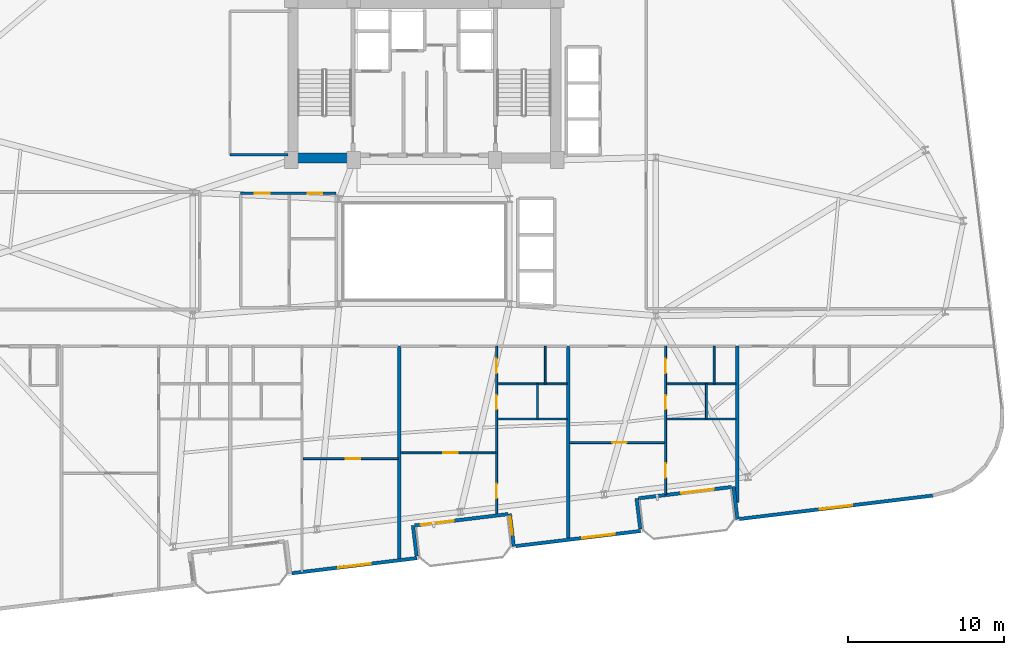
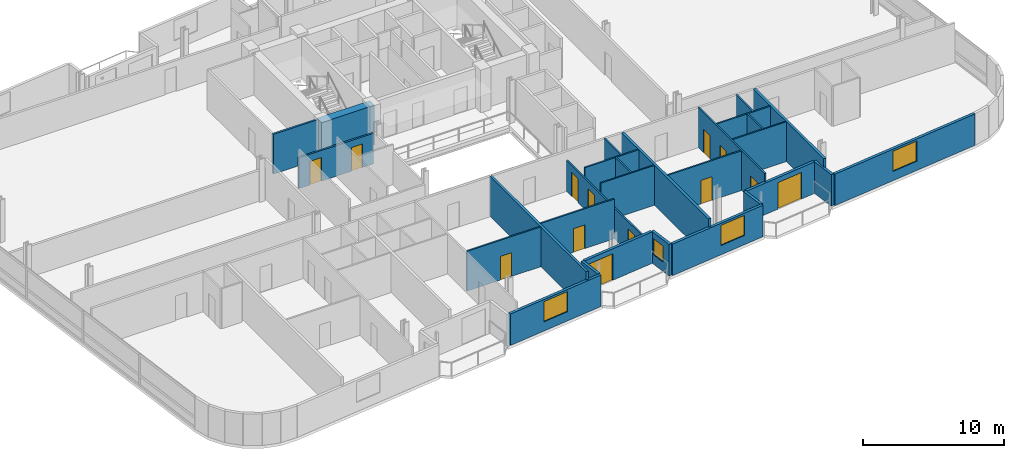
# One storey, part 15 of 23: 28 walls, 13 doors, 4 windows, 17 openings.
"""IFC4 building model written with IfcOpenShell, lengths in metres."""

from ifc_helpers import new_model, si_unit, direction, frame, frame_2d, origin, place, context, subcontext, project, spatial, rectangle, extrude, material, layer, layer_set, type_object, element, fill, save


model = new_model("IFC4")

# Units and contexts
model_context = context("Model", 3, precision=1e-05, world=origin(), true_north=direction((0.0, 1.0)))
body_context = subcontext(model_context, "Body", "Model", "MODEL_VIEW")
ifc_project = project(units=[si_unit("LENGTHUNIT", "METRE"), si_unit("AREAUNIT", "SQUARE_METRE"), si_unit("VOLUMEUNIT", "CUBIC_METRE"), si_unit("PLANEANGLEUNIT", "RADIAN"), si_unit("MASSUNIT", "GRAM", prefix="KILO")], contexts=[model_context])

# Site, building, storey
site_placement = place(None, origin())
site = spatial("IfcSite", under=ifc_project, at=site_placement, CompositionType="ELEMENT")
building_placement = place(site_placement, origin())
building = spatial("IfcBuilding", under=site, at=building_placement, Name="Varnelok Gate Tower", CompositionType="ELEMENT")
storey_placement = place(building_placement, frame((0.0, 0.0, 170.89990234375)))
storey = spatial("IfcBuildingStorey", under=building, at=storey_placement, Name="L43", CompositionType="ELEMENT", Elevation=170.89990234375)

# Wall, opening, door
ifc_material_1 = material(Name="Concrete C45/55", Category="concrete")
ifc_layer_1 = layer(ifc_material_1, 0.219970703125)
ifc_layer_set_1 = layer_set([ifc_layer_1], Name="Concrete C45/55")
wall_type_1 = type_object("IfcWallType", Name="EW-BALC-220", PredefinedType="SOLIDWALL", material=ifc_layer_set_1)
wall_1_placement = place(storey_placement, frame((44.5478515625, 6.114013671875, 0.0), z_axis=(0.0, 0.0, 1.0), x_axis=(-0.992735402148, -0.120318000826, 0.0)))
wall_1 = element("IfcWall", 1, at=wall_1_placement, inside=storey, type_object=wall_type_1, Name="L43 South Terrace Envelope Wall 2", PredefinedType="SOLIDWALL", context=body_context, shape_type="SweptSolid", body=[
    extrude(rectangle(XDim=6.000244140625, YDim=0.219970703125, at=frame_2d((3.0, 0.0))), origin(), (0.0, 0.0, 1.0), 2.72998046875),
])
opening_1_placement = place(wall_1_placement, frame((3.5, 0.0, 0.0)))
opening_1 = element("IfcOpeningElement", 2, at=opening_1_placement, cuts=wall_1, Name="Opening BD-2", PredefinedType="OPENING", context=body_context, shape_type="SweptSolid", body=[
    extrude(rectangle(XDim=2.10009765625, YDim=2.300048828125, at=frame_2d((1.050048828125, 1.14990234375))), frame((0.0, 0.119873046875, 0.0), z_axis=(0.0, -1.0, 0.0), x_axis=(1.0, 0.0, 0.0)), (0.0, 0.0, 1.0), 0.239990234375),
])
ifc_material_2 = material(Name="Anodized Aluminum Alloy 6063-T6", Category="aluminium")
door_type_1 = type_object("IfcDoorType", Name="DR-EXT-SLID2100", OperationType="SLIDING_TO_LEFT", PredefinedType="DOOR", material=ifc_material_2)
door_1_placement = place(opening_1_placement, origin())
door_1 = element("IfcDoor", 3, at=door_1_placement, inside=storey, type_object=door_type_1, Name="L43 South Balcony Glazed Door 2", OperationType="SLIDING_TO_LEFT", OverallHeight=2.300048828125, OverallWidth=2.10009765625, PredefinedType="DOOR", context=body_context, shape_type="SweptSolid", body=[
    extrude(rectangle(XDim=2.10009765625, YDim=2.300048828125, at=frame_2d((1.050048828125, 1.14990234375))), frame((0.0, 0.02490234375, 0.0), z_axis=(0.0, -1.0, 0.0), x_axis=(1.0, 0.0, 0.0)), (0.0, 0.0, 1.0), 0.050048828125),
])
fill(opening_1, door_1)

wall_2_placement = place(storey_placement, frame((58.843017578125, 7.84716796875, 0.0), z_axis=(0.0, 0.0, 1.0), x_axis=(-0.992729951822, -0.120362962556, 0.0)))
wall_2 = element("IfcWall", 4, at=wall_2_placement, inside=storey, type_object=wall_type_1, Name="L43 South Terrace Envelope Wall 3", PredefinedType="SOLIDWALL", context=body_context, shape_type="SweptSolid", body=[
    extrude(rectangle(XDim=6.0, YDim=0.219970703125, at=frame_2d((3.0, 0.0))), origin(), (0.0, 0.0, 1.0), 2.72998046875),
])
opening_2_placement = place(wall_2_placement, frame((1.14404296875, 0.0, 0.0)))
opening_2 = element("IfcOpeningElement", 5, at=opening_2_placement, cuts=wall_2, Name="Opening BD-2", PredefinedType="OPENING", context=body_context, shape_type="SweptSolid", body=[
    extrude(rectangle(XDim=2.10009765625, YDim=2.300048828125, at=frame_2d((1.050048828125, 1.14990234375))), frame((0.0, 0.119873046875, 0.0), z_axis=(0.0, -1.0, 0.0), x_axis=(1.0, 0.0, 0.0)), (0.0, 0.0, 1.0), 0.239990234375),
])
door_2_placement = place(opening_2_placement, origin())
door_2 = element("IfcDoor", 6, at=door_2_placement, inside=storey, type_object=door_type_1, Name="L43 South Balcony Glazed Door 3", OperationType="SLIDING_TO_LEFT", OverallHeight=2.300048828125, OverallWidth=2.10009765625, PredefinedType="DOOR", context=body_context, shape_type="SweptSolid", body=[
    extrude(rectangle(XDim=2.10009765625, YDim=2.300048828125, at=frame_2d((1.050048828125, 1.14990234375))), frame((0.0, 0.02490234375, 0.0), z_axis=(0.0, -1.0, 0.0), x_axis=(1.0, 0.0, 0.0)), (0.0, 0.0, 1.0), 0.050048828125),
])
fill(opening_2, door_2)

# Wall, opening, window
wall_3_placement = place(storey_placement, frame((30.747314453125, 2.335693359375, 0.0), z_axis=(0.0, 0.0, 1.0), x_axis=(0.992731032022, 0.120354052946, 0.0)))
wall_3 = element("IfcWall", 7, at=wall_3_placement, inside=storey, type_object=wall_type_1, Name="L43 Perimeter Facade Closure Wall 10", PredefinedType="SOLIDWALL", context=body_context, shape_type="SweptSolid", body=[
    extrude(rectangle(XDim=8.034912109375, YDim=0.219970703125, at=frame_2d((4.017578125, 0.0))), origin(), (0.0, 0.0, 1.0), 2.72998046875),
])
opening_3_placement = place(wall_3_placement, frame((2.967529296875, 0.0, 0.800048828125)))
opening_3 = element("IfcOpeningElement", 8, at=opening_3_placement, cuts=wall_3, Name="Opening WN4", PredefinedType="OPENING", context=body_context, shape_type="SweptSolid", body=[
    extrude(rectangle(XDim=2.10009765625, YDim=1.75, at=frame_2d((1.050048828125, 0.875))), frame((0.0, 0.119873046875, 0.0), z_axis=(0.0, -1.0, 0.0), x_axis=(1.0, 0.0, 0.0)), (0.0, 0.0, 1.0), 0.239990234375),
])
ifc_material_3 = material(Name="Low-E Laminated Double Glazing IGU", Category="glass")
window_type_1 = type_object("IfcWindowType", Name="WN-SUI-2100", PartitioningType="SINGLE_PANEL", PredefinedType="WINDOW", material=ifc_material_3)
window_1_placement = place(opening_3_placement, origin())
window_1 = element("IfcWindow", 9, at=window_1_placement, inside=storey, type_object=window_type_1, Name="L43 Perimeter Vision Window 10", OverallHeight=1.75, OverallWidth=2.10009765625, PartitioningType="SINGLE_PANEL", PredefinedType="WINDOW", context=body_context, shape_type="SweptSolid", body=[
    extrude(rectangle(XDim=2.10009765625, YDim=1.75, at=frame_2d((1.050048828125, 0.875))), frame((0.0, 0.030029296875, 0.0), z_axis=(0.0, -1.0, 0.0), x_axis=(1.0, 0.0, 0.0)), (0.0, 0.0, 1.0), 0.06005859375),
])
fill(opening_3, window_1)

# Wall
wall_4_placement = place(storey_placement, frame((38.708740234375, 3.427001953125, 0.0), z_axis=(0.0, 0.0, 1.0), x_axis=(-0.120397815541, 0.992725725472, 0.0)))
element("IfcWall", 10, at=wall_4_placement, inside=storey, type_object=wall_type_1, Name="L43 Perimeter Facade Closure Wall 11", PredefinedType="SOLIDWALL", context=body_context, shape_type="SweptSolid", body=[
    extrude(rectangle(XDim=1.97509765625, YDim=0.219970703125, at=frame_2d((0.987548828125, 0.0))), origin(), (0.0, 0.0, 1.0), 2.72998046875),
])

# Wall, opening, window
wall_5_placement = place(storey_placement, frame((44.665771484375, 6.138427734375, 0.0), z_axis=(0.0, 0.0, 1.0), x_axis=(0.120327895535, -0.992734202874, 0.0)))
wall_5 = element("IfcWall", 11, at=wall_5_placement, inside=storey, type_object=wall_type_1, Name="L43 Perimeter Facade Closure Wall 12", PredefinedType="SOLIDWALL", context=body_context, shape_type="SweptSolid", body=[
    extrude(rectangle(XDim=2.099853515625, YDim=0.219970703125, at=frame_2d((1.0498046875, 0.0))), origin(), (0.0, 0.0, 1.0), 2.72998046875),
])
opening_4_placement = place(wall_5_placement, frame((0.199951171875, 0.0, 0.800048828125)))
opening_4 = element("IfcOpeningElement", 12, at=opening_4_placement, cuts=wall_5, Name="Opening WN8", PredefinedType="OPENING", context=body_context, shape_type="SweptSolid", body=[
    extrude(rectangle(XDim=1.14990234375, YDim=1.39990234375, at=frame_2d((0.574951171875, 0.699951171875))), frame((0.0, 0.119873046875, 0.0), z_axis=(0.0, -1.0, 0.0), x_axis=(1.0, 0.0, 0.0)), (0.0, 0.0, 1.0), 0.239990234375),
])
window_type_2 = type_object("IfcWindowType", Name="WN-BED-1150", PartitioningType="SINGLE_PANEL", PredefinedType="WINDOW", material=ifc_material_3)
window_2_placement = place(opening_4_placement, origin())
window_2 = element("IfcWindow", 13, at=window_2_placement, inside=storey, type_object=window_type_2, Name="L43 Bedroom Vision Window 22", OverallHeight=1.39990234375, OverallWidth=1.14990234375, PartitioningType="SINGLE_PANEL", PredefinedType="WINDOW", context=body_context, shape_type="SweptSolid", body=[
    extrude(rectangle(XDim=1.14990234375, YDim=1.39990234375, at=frame_2d((0.574951171875, 0.699951171875))), frame((0.0, 0.030029296875, 0.0), z_axis=(0.0, -1.0, 0.0), x_axis=(1.0, 0.0, 0.0)), (0.0, 0.0, 1.0), 0.06005859375),
])
fill(opening_4, window_2)

wall_6_placement = place(storey_placement, frame((45.04248046875, 4.06884765625, 0.0), z_axis=(0.0, 0.0, 1.0), x_axis=(0.992731032022, 0.120354052946, 0.0)))
wall_6 = element("IfcWall", 14, at=wall_6_placement, inside=storey, type_object=wall_type_1, Name="L43 Perimeter Facade Closure Wall 13", PredefinedType="SOLIDWALL", context=body_context, shape_type="SweptSolid", body=[
    extrude(rectangle(XDim=8.034912109375, YDim=0.219970703125, at=frame_2d((4.017578125, 0.0))), origin(), (0.0, 0.0, 1.0), 2.72998046875),
])
opening_5_placement = place(wall_6_placement, frame((4.273193359375, 0.0, 0.800048828125)))
opening_5 = element("IfcOpeningElement", 15, at=opening_5_placement, cuts=wall_6, Name="Opening WN4", PredefinedType="OPENING", context=body_context, shape_type="SweptSolid", body=[
    extrude(rectangle(XDim=2.10009765625, YDim=1.75, at=frame_2d((1.050048828125, 0.875))), frame((0.0, 0.119873046875, 0.0), z_axis=(0.0, -1.0, 0.0), x_axis=(1.0, 0.0, 0.0)), (0.0, 0.0, 1.0), 0.239990234375),
])
window_3_placement = place(opening_5_placement, origin())
window_3 = element("IfcWindow", 16, at=window_3_placement, inside=storey, type_object=window_type_1, Name="L43 Perimeter Vision Window 13", OverallHeight=1.75, OverallWidth=2.10009765625, PartitioningType="SINGLE_PANEL", PredefinedType="WINDOW", context=body_context, shape_type="SweptSolid", body=[
    extrude(rectangle(XDim=2.10009765625, YDim=1.75, at=frame_2d((1.050048828125, 0.875))), frame((0.0, 0.030029296875, 0.0), z_axis=(0.0, -1.0, 0.0), x_axis=(1.0, 0.0, 0.0)), (0.0, 0.0, 1.0), 0.06005859375),
])
fill(opening_5, window_3)

# Walls
wall_7_placement = place(storey_placement, frame((53.004150390625, 5.159912109375, 0.0), z_axis=(0.0, 0.0, 1.0), x_axis=(-0.120397815541, 0.992725725472, 0.0)))
element("IfcWall", 17, at=wall_7_placement, inside=storey, type_object=wall_type_1, Name="L43 Perimeter Facade Closure Wall 14", PredefinedType="SOLIDWALL", context=body_context, shape_type="SweptSolid", body=[
    extrude(rectangle(XDim=1.97509765625, YDim=0.219970703125, at=frame_2d((0.987548828125, 0.0))), origin(), (0.0, 0.0, 1.0), 2.72998046875),
])
wall_8_placement = place(storey_placement, frame((58.961181640625, 7.87158203125, 0.0), z_axis=(0.0, 0.0, 1.0), x_axis=(0.120327895535, -0.992734202874, 0.0)))
element("IfcWall", 18, at=wall_8_placement, inside=storey, type_object=wall_type_1, Name="L43 Perimeter Facade Closure Wall 15", PredefinedType="SOLIDWALL", context=body_context, shape_type="SweptSolid", body=[
    extrude(rectangle(XDim=2.099853515625, YDim=0.219970703125, at=frame_2d((1.0498046875, 0.0))), origin(), (0.0, 0.0, 1.0), 2.72998046875),
])

# Wall, opening, window
wall_9_placement = place(storey_placement, frame((59.337890625, 5.8017578125, 0.0), z_axis=(0.0, 0.0, 1.0), x_axis=(0.992731225757, 0.120352454927, 0.0)))
wall_9 = element("IfcWall", 19, at=wall_9_placement, inside=storey, type_object=wall_type_1, Name="L43 Perimeter Facade Closure Wall 16", PredefinedType="SOLIDWALL", context=body_context, shape_type="SweptSolid", body=[
    extrude(rectangle(XDim=12.447265625, YDim=0.219970703125, at=frame_2d((6.2236328125, 0.0))), origin(), (0.0, 0.0, 1.0), 2.72998046875),
])
opening_6_placement = place(wall_9_placement, frame((5.173583984375, 0.0, 0.800048828125)))
opening_6 = element("IfcOpeningElement", 20, at=opening_6_placement, cuts=wall_9, Name="Opening WN4", PredefinedType="OPENING", context=body_context, shape_type="SweptSolid", body=[
    extrude(rectangle(XDim=2.10009765625, YDim=1.75, at=frame_2d((1.050048828125, 0.875))), frame((0.0, 0.119873046875, 0.0), z_axis=(0.0, -1.0, 0.0), x_axis=(1.0, 0.0, 0.0)), (0.0, 0.0, 1.0), 0.239990234375),
])
window_4_placement = place(opening_6_placement, origin())
window_4 = element("IfcWindow", 21, at=window_4_placement, inside=storey, type_object=window_type_1, Name="L43 Perimeter Vision Window 16", OverallHeight=1.75, OverallWidth=2.10009765625, PartitioningType="SINGLE_PANEL", PredefinedType="WINDOW", context=body_context, shape_type="SweptSolid", body=[
    extrude(rectangle(XDim=2.10009765625, YDim=1.75, at=frame_2d((1.050048828125, 0.875))), frame((0.0, 0.030029296875, 0.0), z_axis=(0.0, -1.0, 0.0), x_axis=(1.0, 0.0, 0.0)), (0.0, 0.0, 1.0), 0.06005859375),
])
fill(opening_6, window_4)

# Walls
ifc_material_4 = material(Name="Gypsum Plasterboard Acoustic Partition", Category="gypsum")
ifc_layer_2 = layer(ifc_material_4, 0.114990234375)
ifc_layer_set_2 = layer_set([ifc_layer_2], Name="Gypsum Plasterboard Acoustic Partition")
wall_type_2 = type_object("IfcWallType", Name="PW-ENS-125", PredefinedType="PARTITIONING", material=ifc_layer_set_2)
wall_10_placement = place(storey_placement, frame((43.88916015625, 12.199951171875, 0.0), z_axis=(0.0, 0.0, 1.0), x_axis=(1.0, 0.0, 0.0)))
element("IfcWall", 22, at=wall_10_placement, inside=storey, type_object=wall_type_2, Name="Interior Partition", PredefinedType="PARTITIONING", context=body_context, shape_type="SweptSolid", body=[
    extrude(rectangle(XDim=4.430908203125, YDim=0.114990234375, at=frame_2d((2.21533203125, 0.0))), origin(), (0.0, 0.0, 1.0), 3.4501953125),
])
wall_11_placement = place(storey_placement, frame((46.42919921875, 12.199951171875, 0.0), z_axis=(0.0, 0.0, 1.0), x_axis=(0.0, 1.0, 0.0)))
element("IfcWall", 23, at=wall_11_placement, inside=storey, type_object=wall_type_2, Name="Interior Partition", PredefinedType="PARTITIONING", context=body_context, shape_type="SweptSolid", body=[
    extrude(rectangle(XDim=2.239990234375, YDim=0.114990234375, at=frame_2d((1.1201171875, 0.0))), origin(), (0.0, 0.0, 1.0), 3.4501953125),
])
wall_12_placement = place(storey_placement, frame((54.689208984375, 12.199951171875, 0.0), z_axis=(0.0, 0.0, 1.0), x_axis=(1.0, 0.0, 0.0)))
element("IfcWall", 24, at=wall_12_placement, inside=storey, type_object=wall_type_2, Name="Interior Partition", PredefinedType="PARTITIONING", context=body_context, shape_type="SweptSolid", body=[
    extrude(rectangle(XDim=4.430908203125, YDim=0.114990234375, at=frame_2d((2.21533203125, 0.0))), origin(), (0.0, 0.0, 1.0), 3.4501953125),
])
wall_13_placement = place(storey_placement, frame((57.229248046875, 12.199951171875, 0.0), z_axis=(0.0, 0.0, 1.0), x_axis=(0.0, 1.0, 0.0)))
element("IfcWall", 25, at=wall_13_placement, inside=storey, type_object=wall_type_2, Name="Interior Partition", PredefinedType="PARTITIONING", context=body_context, shape_type="SweptSolid", body=[
    extrude(rectangle(XDim=2.239990234375, YDim=0.114990234375, at=frame_2d((1.1201171875, 0.0))), origin(), (0.0, 0.0, 1.0), 3.4501953125),
])

# Wall, opening, door
ifc_layer_3 = layer(ifc_material_4, 0.125)
ifc_layer_set_3 = layer_set([ifc_layer_3], Name="Gypsum Plasterboard Acoustic Partition")
wall_type_3 = type_object("IfcWallType", Name="PW-PART-125", PredefinedType="PARTITIONING", material=ifc_layer_set_3)
wall_14_placement = place(storey_placement, frame((31.45068359375, 9.65576171875, 0.0), z_axis=(0.0, 0.0, 1.0), x_axis=(1.0, 0.0, 0.0)))
wall_14 = element("IfcWall", 26, at=wall_14_placement, inside=storey, type_object=wall_type_3, Name="Interior Partition", PredefinedType="PARTITIONING", context=body_context, shape_type="SweptSolid", body=[
    extrude(rectangle(XDim=6.0693359375, YDim=0.125, at=frame_2d((3.03466796875, 0.0))), origin(), (0.0, 0.0, 1.0), 3.4501953125),
])
opening_7_placement = place(wall_14_placement, frame((2.731201171875, 0.0, 0.0)))
opening_7 = element("IfcOpeningElement", 27, at=opening_7_placement, cuts=wall_14, Name="Opening D-I3", PredefinedType="OPENING", context=body_context, shape_type="SweptSolid", body=[
    extrude(rectangle(XDim=0.919921875, YDim=2.050048828125, at=frame_2d((0.4599609375, 1.02490234375))), frame((0.0, 0.072509765625, 0.0), z_axis=(0.0, -1.0, 0.0), x_axis=(1.0, 0.0, 0.0)), (0.0, 0.0, 1.0), 0.14501953125),
])
ifc_material_5 = material(Name="Engineered Hardwood Timber", Category="wood")
door_type_2 = type_object("IfcDoorType", Name="DR-INT-920", OperationType="NOTDEFINED", PredefinedType="DOOR", material=ifc_material_5)
door_3_placement = place(opening_7_placement, origin())
door_3 = element("IfcDoor", 28, at=door_3_placement, inside=storey, type_object=door_type_2, Name="L43 Apartment 3 Study Door", OperationType="SINGLE_SWING_LEFT", OverallHeight=2.050048828125, OverallWidth=0.919921875, PredefinedType="DOOR", context=body_context, shape_type="SweptSolid", body=[
    extrude(rectangle(XDim=0.919921875, YDim=2.050048828125, at=frame_2d((0.4599609375, 1.02490234375))), frame((0.0, 0.02490234375, 0.0), z_axis=(0.0, -1.0, 0.0), x_axis=(1.0, 0.0, 0.0)), (0.0, 0.0, 1.0), 0.050048828125),
])
fill(opening_7, door_3)

wall_15_placement = place(storey_placement, frame((37.679931640625, 10.033203125, 0.0), z_axis=(0.0, 0.0, 1.0), x_axis=(1.0, 0.0, 0.0)))
wall_15 = element("IfcWall", 29, at=wall_15_placement, inside=storey, type_object=wall_type_3, Name="Interior Partition", PredefinedType="PARTITIONING", context=body_context, shape_type="SweptSolid", body=[
    extrude(rectangle(XDim=6.0693359375, YDim=0.125, at=frame_2d((3.03466796875, 0.0))), origin(), (0.0, 0.0, 1.0), 3.4501953125),
])
opening_8_placement = place(wall_15_placement, frame((2.731201171875, 0.0, 0.0)))
opening_8 = element("IfcOpeningElement", 30, at=opening_8_placement, cuts=wall_15, Name="Opening D-I3", PredefinedType="OPENING", context=body_context, shape_type="SweptSolid", body=[
    extrude(rectangle(XDim=0.919921875, YDim=2.050048828125, at=frame_2d((0.4599609375, 1.02490234375))), frame((0.0, 0.072509765625, 0.0), z_axis=(0.0, -1.0, 0.0), x_axis=(1.0, 0.0, 0.0)), (0.0, 0.0, 1.0), 0.14501953125),
])
door_4_placement = place(opening_8_placement, origin())
door_4 = element("IfcDoor", 31, at=door_4_placement, inside=storey, type_object=door_type_2, Name="L43 Apartment 4 Study Door", OperationType="SINGLE_SWING_LEFT", OverallHeight=2.050048828125, OverallWidth=0.919921875, PredefinedType="DOOR", context=body_context, shape_type="SweptSolid", body=[
    extrude(rectangle(XDim=0.919921875, YDim=2.050048828125, at=frame_2d((0.4599609375, 1.02490234375))), frame((0.0, 0.02490234375, 0.0), z_axis=(0.0, -1.0, 0.0), x_axis=(1.0, 0.0, 0.0)), (0.0, 0.0, 1.0), 0.050048828125),
])
fill(opening_8, door_4)

# Wall, openings, doors
wall_16_placement = place(storey_placement, frame((43.819091796875, 6.055908203125, 0.0), z_axis=(0.0, 0.0, 1.0), x_axis=(0.0, 1.0, 0.0)))
wall_16 = element("IfcWall", 32, at=wall_16_placement, inside=storey, type_object=wall_type_3, Name="Interior Partition", PredefinedType="PARTITIONING", context=body_context, shape_type="SweptSolid", body=[
    extrude(rectangle(XDim=10.794189453125, YDim=0.125, at=frame_2d((5.39697265625, 0.0))), origin(), (0.0, 0.0, 1.0), 2.662109375),
])
opening_9_placement = place(wall_16_placement, frame((1.0830078125, 0.0, 0.0)))
opening_9 = element("IfcOpeningElement", 33, at=opening_9_placement, cuts=wall_16, Name="Opening D-I3", PredefinedType="OPENING", context=body_context, shape_type="SweptSolid", body=[
    extrude(rectangle(XDim=0.919921875, YDim=2.050048828125, at=frame_2d((0.4599609375, 1.02490234375))), frame((0.0, 0.072509765625, 0.0), z_axis=(0.0, -1.0, 0.0), x_axis=(1.0, 0.0, 0.0)), (0.0, 0.0, 1.0), 0.14501953125),
])
opening_10_placement = place(wall_16_placement, frame((6.771240234375, 0.0, 0.0)))
opening_10 = element("IfcOpeningElement", 34, at=opening_10_placement, cuts=wall_16, Name="Opening D-WC", PredefinedType="OPENING", context=body_context, shape_type="SweptSolid", body=[
    extrude(rectangle(XDim=0.89990234375, YDim=2.050048828125, at=frame_2d((0.449951171875, 1.02490234375))), frame((0.0, 0.072509765625, 0.0), z_axis=(0.0, -1.0, 0.0), x_axis=(1.0, 0.0, 0.0)), (0.0, 0.0, 1.0), 0.14501953125),
])
opening_11_placement = place(wall_16_placement, frame((9.06396484375, 0.0, 0.0)))
opening_11 = element("IfcOpeningElement", 35, at=opening_11_placement, cuts=wall_16, Name="Opening D-I3", PredefinedType="OPENING", context=body_context, shape_type="SweptSolid", body=[
    extrude(rectangle(XDim=0.919921875, YDim=2.050048828125, at=frame_2d((0.4599609375, 1.02490234375))), frame((0.0, 0.072509765625, 0.0), z_axis=(0.0, -1.0, 0.0), x_axis=(1.0, 0.0, 0.0)), (0.0, 0.0, 1.0), 0.14501953125),
])
door_type_3 = type_object("IfcDoorType", Name="DR-BATH-900", OperationType="NOTDEFINED", PredefinedType="DOOR", material=ifc_material_5)
door_5_placement = place(opening_10_placement, origin())
door_5 = element("IfcDoor", 36, at=door_5_placement, inside=storey, type_object=door_type_3, Name="L43 Apartment 4 Bathroom Door", OperationType="SINGLE_SWING_LEFT", OverallHeight=2.050048828125, OverallWidth=0.89990234375, PredefinedType="DOOR", context=body_context, shape_type="SweptSolid", body=[
    extrude(rectangle(XDim=0.89990234375, YDim=2.050048828125, at=frame_2d((0.449951171875, 1.02490234375))), frame((0.0, 0.02490234375, 0.0), z_axis=(0.0, -1.0, 0.0), x_axis=(1.0, 0.0, 0.0)), (0.0, 0.0, 1.0), 0.050048828125),
])
fill(opening_10, door_5)
door_6_placement = place(opening_9_placement, origin())
door_6 = element("IfcDoor", 37, at=door_6_placement, inside=storey, type_object=door_type_2, Name="L43 Apartment 4 Bedroom Door", OperationType="SINGLE_SWING_RIGHT", OverallHeight=2.050048828125, OverallWidth=0.919921875, PredefinedType="DOOR", context=body_context, shape_type="SweptSolid", body=[
    extrude(rectangle(XDim=0.919921875, YDim=2.050048828125, at=frame_2d((0.4599609375, 1.02490234375))), frame((0.0, 0.02490234375, 0.0), z_axis=(0.0, -1.0, 0.0), x_axis=(1.0, 0.0, 0.0)), (0.0, 0.0, 1.0), 0.050048828125),
])
fill(opening_9, door_6)
door_7_placement = place(opening_11_placement, origin())
door_7 = element("IfcDoor", 38, at=door_7_placement, inside=storey, type_object=door_type_2, Name="L43 Apartment 4 Kitchen Door", OperationType="SINGLE_SWING_RIGHT", OverallHeight=2.050048828125, OverallWidth=0.919921875, PredefinedType="DOOR", context=body_context, shape_type="SweptSolid", body=[
    extrude(rectangle(XDim=0.919921875, YDim=2.050048828125, at=frame_2d((0.4599609375, 1.02490234375))), frame((0.0, 0.02490234375, 0.0), z_axis=(0.0, -1.0, 0.0), x_axis=(1.0, 0.0, 0.0)), (0.0, 0.0, 1.0), 0.050048828125),
])
fill(opening_11, door_7)

# Walls
wall_17_placement = place(storey_placement, frame((43.88916015625, 14.43994140625, 0.0), z_axis=(0.0, 0.0, 1.0), x_axis=(1.0, 0.0, 0.0)))
element("IfcWall", 39, at=wall_17_placement, inside=storey, type_object=wall_type_3, Name="Interior Partition", PredefinedType="PARTITIONING", context=body_context, shape_type="SweptSolid", body=[
    extrude(rectangle(XDim=4.430908203125, YDim=0.125, at=frame_2d((2.21533203125, 0.0))), origin(), (0.0, 0.0, 1.0), 3.4501953125),
])
wall_18_placement = place(storey_placement, frame((46.92919921875, 14.43994140625, 0.0), z_axis=(0.0, 0.0, 1.0), x_axis=(0.0, 1.0, 0.0)))
element("IfcWall", 40, at=wall_18_placement, inside=storey, type_object=wall_type_3, Name="Interior Partition", PredefinedType="PARTITIONING", context=body_context, shape_type="SweptSolid", body=[
    extrude(rectangle(XDim=2.41015625, YDim=0.125, at=frame_2d((1.205078125, 0.0))), origin(), (0.0, 0.0, 1.0), 3.4501953125),
])

# Wall, opening, door
wall_19_placement = place(storey_placement, frame((48.47998046875, 10.68798828125, 0.0), z_axis=(0.0, 0.0, 1.0), x_axis=(1.0, 0.0, 0.0)))
wall_19 = element("IfcWall", 41, at=wall_19_placement, inside=storey, type_object=wall_type_3, Name="Interior Partition", PredefinedType="PARTITIONING", context=body_context, shape_type="SweptSolid", body=[
    extrude(rectangle(XDim=6.0693359375, YDim=0.125, at=frame_2d((3.03466796875, 0.0))), origin(), (0.0, 0.0, 1.0), 3.4501953125),
])
opening_12_placement = place(wall_19_placement, frame((2.731201171875, 0.0, 0.0)))
opening_12 = element("IfcOpeningElement", 42, at=opening_12_placement, cuts=wall_19, Name="Opening D-I3", PredefinedType="OPENING", context=body_context, shape_type="SweptSolid", body=[
    extrude(rectangle(XDim=0.919921875, YDim=2.050048828125, at=frame_2d((0.4599609375, 1.02490234375))), frame((0.0, 0.072509765625, 0.0), z_axis=(0.0, -1.0, 0.0), x_axis=(1.0, 0.0, 0.0)), (0.0, 0.0, 1.0), 0.14501953125),
])
door_8_placement = place(opening_12_placement, origin())
door_8 = element("IfcDoor", 43, at=door_8_placement, inside=storey, type_object=door_type_2, Name="L43 Apartment 5 Study Door", OperationType="SINGLE_SWING_LEFT", OverallHeight=2.050048828125, OverallWidth=0.919921875, PredefinedType="DOOR", context=body_context, shape_type="SweptSolid", body=[
    extrude(rectangle(XDim=0.919921875, YDim=2.050048828125, at=frame_2d((0.4599609375, 1.02490234375))), frame((0.0, 0.02490234375, 0.0), z_axis=(0.0, -1.0, 0.0), x_axis=(1.0, 0.0, 0.0)), (0.0, 0.0, 1.0), 0.050048828125),
])
fill(opening_12, door_8)

# Wall, openings, doors
wall_20_placement = place(storey_placement, frame((54.619140625, 7.365234375, 0.0), z_axis=(0.0, 0.0, 1.0), x_axis=(0.0, 1.0, 0.0)))
wall_20 = element("IfcWall", 44, at=wall_20_placement, inside=storey, type_object=wall_type_3, Name="Interior Partition", PredefinedType="PARTITIONING", context=body_context, shape_type="SweptSolid", body=[
    extrude(rectangle(XDim=9.48486328125, YDim=0.125, at=frame_2d((4.742431640625, 0.0))), origin(), (0.0, 0.0, 1.0), 3.4501953125),
])
opening_13_placement = place(wall_20_placement, frame((1.0654296875, 0.0, 0.0)))
opening_13 = element("IfcOpeningElement", 45, at=opening_13_placement, cuts=wall_20, Name="Opening D-I3", PredefinedType="OPENING", context=body_context, shape_type="SweptSolid", body=[
    extrude(rectangle(XDim=0.919921875, YDim=2.050048828125, at=frame_2d((0.4599609375, 1.02490234375))), frame((0.0, 0.072509765625, 0.0), z_axis=(0.0, -1.0, 0.0), x_axis=(1.0, 0.0, 0.0)), (0.0, 0.0, 1.0), 0.14501953125),
])
opening_14_placement = place(wall_20_placement, frame((5.462158203125, 0.0, 0.0)))
opening_14 = element("IfcOpeningElement", 46, at=opening_14_placement, cuts=wall_20, Name="Opening D-WC", PredefinedType="OPENING", context=body_context, shape_type="SweptSolid", body=[
    extrude(rectangle(XDim=0.89990234375, YDim=2.050048828125, at=frame_2d((0.449951171875, 1.02490234375))), frame((0.0, 0.072509765625, 0.0), z_axis=(0.0, -1.0, 0.0), x_axis=(1.0, 0.0, 0.0)), (0.0, 0.0, 1.0), 0.14501953125),
])
opening_15_placement = place(wall_20_placement, frame((7.7548828125, 0.0, 0.0)))
opening_15 = element("IfcOpeningElement", 47, at=opening_15_placement, cuts=wall_20, Name="Opening D-I3", PredefinedType="OPENING", context=body_context, shape_type="SweptSolid", body=[
    extrude(rectangle(XDim=0.919921875, YDim=2.050048828125, at=frame_2d((0.4599609375, 1.02490234375))), frame((0.0, 0.072509765625, 0.0), z_axis=(0.0, -1.0, 0.0), x_axis=(1.0, 0.0, 0.0)), (0.0, 0.0, 1.0), 0.14501953125),
])
door_9_placement = place(opening_14_placement, origin())
door_9 = element("IfcDoor", 48, at=door_9_placement, inside=storey, type_object=door_type_3, Name="L43 Apartment 5 Bathroom Door", OperationType="SINGLE_SWING_LEFT", OverallHeight=2.050048828125, OverallWidth=0.89990234375, PredefinedType="DOOR", context=body_context, shape_type="SweptSolid", body=[
    extrude(rectangle(XDim=0.89990234375, YDim=2.050048828125, at=frame_2d((0.449951171875, 1.02490234375))), frame((0.0, 0.02490234375, 0.0), z_axis=(0.0, -1.0, 0.0), x_axis=(1.0, 0.0, 0.0)), (0.0, 0.0, 1.0), 0.050048828125),
])
fill(opening_14, door_9)
door_10_placement = place(opening_13_placement, origin())
door_10 = element("IfcDoor", 49, at=door_10_placement, inside=storey, type_object=door_type_2, Name="L43 Apartment 5 Bedroom Door", OperationType="SINGLE_SWING_RIGHT", OverallHeight=2.050048828125, OverallWidth=0.919921875, PredefinedType="DOOR", context=body_context, shape_type="SweptSolid", body=[
    extrude(rectangle(XDim=0.919921875, YDim=2.050048828125, at=frame_2d((0.4599609375, 1.02490234375))), frame((0.0, 0.02490234375, 0.0), z_axis=(0.0, -1.0, 0.0), x_axis=(1.0, 0.0, 0.0)), (0.0, 0.0, 1.0), 0.050048828125),
])
fill(opening_13, door_10)
door_11_placement = place(opening_15_placement, origin())
door_11 = element("IfcDoor", 50, at=door_11_placement, inside=storey, type_object=door_type_2, Name="L43 Apartment 5 Kitchen Door", OperationType="SINGLE_SWING_RIGHT", OverallHeight=2.050048828125, OverallWidth=0.919921875, PredefinedType="DOOR", context=body_context, shape_type="SweptSolid", body=[
    extrude(rectangle(XDim=0.919921875, YDim=2.050048828125, at=frame_2d((0.4599609375, 1.02490234375))), frame((0.0, 0.02490234375, 0.0), z_axis=(0.0, -1.0, 0.0), x_axis=(1.0, 0.0, 0.0)), (0.0, 0.0, 1.0), 0.050048828125),
])
fill(opening_15, door_11)

# Walls
wall_21_placement = place(storey_placement, frame((54.689208984375, 14.43994140625, 0.0), z_axis=(0.0, 0.0, 1.0), x_axis=(1.0, 0.0, 0.0)))
element("IfcWall", 51, at=wall_21_placement, inside=storey, type_object=wall_type_3, Name="Interior Partition", PredefinedType="PARTITIONING", context=body_context, shape_type="SweptSolid", body=[
    extrude(rectangle(XDim=4.430908203125, YDim=0.125, at=frame_2d((2.21533203125, 0.0))), origin(), (0.0, 0.0, 1.0), 3.4501953125),
])
wall_22_placement = place(storey_placement, frame((57.729248046875, 14.43994140625, 0.0), z_axis=(0.0, 0.0, 1.0), x_axis=(0.0, 1.0, 0.0)))
element("IfcWall", 52, at=wall_22_placement, inside=storey, type_object=wall_type_3, Name="Interior Partition", PredefinedType="PARTITIONING", context=body_context, shape_type="SweptSolid", body=[
    extrude(rectangle(XDim=2.41015625, YDim=0.125, at=frame_2d((1.205078125, 0.0))), origin(), (0.0, 0.0, 1.0), 3.4501953125),
])

# Wall, openings, doors
ifc_layer_4 = layer(ifc_material_4, 0.14990234375)
ifc_layer_set_4 = layer_set([ifc_layer_4], Name="Gypsum Plasterboard Acoustic Partition")
wall_type_4 = type_object("IfcWallType", Name="PW-PART-150", PredefinedType="PARTITIONING", material=ifc_layer_set_4)
wall_23_placement = place(storey_placement, frame((27.4599609375, 26.6201171875, 0.0), z_axis=(0.0, 0.0, 1.0), x_axis=(1.0, 0.0, 0.0)))
wall_23 = element("IfcWall", 53, at=wall_23_placement, inside=storey, type_object=wall_type_4, Name="Interior Partition", PredefinedType="PARTITIONING", context=body_context, shape_type="SweptSolid", body=[
    extrude(rectangle(XDim=6.10009765625, YDim=0.14990234375, at=frame_2d((3.050048828125, 0.0))), origin(), (0.0, 0.0, 1.0), 2.662109375),
])
opening_16_placement = place(wall_23_placement, frame((0.89990234375, 0.0, 0.0)))
opening_16 = element("IfcOpeningElement", 54, at=opening_16_placement, cuts=wall_23, Name="Opening D-I2", PredefinedType="OPENING", context=body_context, shape_type="SweptSolid", body=[
    extrude(rectangle(XDim=0.949951171875, YDim=2.050048828125, at=frame_2d((0.47509765625, 1.02490234375))), frame((0.0, 0.0849609375, 0.0), z_axis=(0.0, -1.0, 0.0), x_axis=(1.0, 0.0, 0.0)), (0.0, 0.0, 1.0), 0.169921875),
])
opening_17_placement = place(wall_23_placement, frame((4.302978515625, 0.0, 0.0)))
opening_17 = element("IfcOpeningElement", 55, at=opening_17_placement, cuts=wall_23, Name="Opening D-WC", PredefinedType="OPENING", context=body_context, shape_type="SweptSolid", body=[
    extrude(rectangle(XDim=0.89990234375, YDim=2.050048828125, at=frame_2d((0.449951171875, 1.02490234375))), frame((0.0, 0.0849609375, 0.0), z_axis=(0.0, -1.0, 0.0), x_axis=(1.0, 0.0, 0.0)), (0.0, 0.0, 1.0), 0.169921875),
])
door_12_placement = place(opening_17_placement, origin())
door_12 = element("IfcDoor", 56, at=door_12_placement, inside=storey, type_object=door_type_3, Name="L43 Accessible Floor WC Door", OperationType="SINGLE_SWING_LEFT", OverallHeight=2.050048828125, OverallWidth=0.89990234375, PredefinedType="DOOR", context=body_context, shape_type="SweptSolid", body=[
    extrude(rectangle(XDim=0.89990234375, YDim=2.050048828125, at=frame_2d((0.449951171875, 1.02490234375))), frame((0.0, 0.02490234375, 0.0), z_axis=(0.0, -1.0, 0.0), x_axis=(1.0, 0.0, 0.0)), (0.0, 0.0, 1.0), 0.050048828125),
])
fill(opening_17, door_12)
door_type_4 = type_object("IfcDoorType", Name="DR-INT-950", OperationType="NOTDEFINED", PredefinedType="DOOR", material=ifc_material_5)
door_13_placement = place(opening_16_placement, origin())
door_13 = element("IfcDoor", 57, at=door_13_placement, inside=storey, type_object=door_type_4, Name="L43 Private Owners Horizon Club Door", OperationType="SINGLE_SWING_RIGHT", OverallHeight=2.050048828125, OverallWidth=0.949951171875, PredefinedType="DOOR", context=body_context, shape_type="SweptSolid", body=[
    extrude(rectangle(XDim=0.949951171875, YDim=2.050048828125, at=frame_2d((0.47509765625, 1.02490234375))), frame((0.0, 0.02490234375, 0.0), z_axis=(0.0, -1.0, 0.0), x_axis=(1.0, 0.0, 0.0)), (0.0, 0.0, 1.0), 0.050048828125),
])
fill(opening_16, door_13)

# Walls
wall_24_placement = place(storey_placement, frame((26.780029296875, 29.080078125, 0.0), z_axis=(0.0, 0.0, 1.0), x_axis=(1.0, 0.0, 0.0)))
element("IfcWall", 58, at=wall_24_placement, inside=storey, type_object=wall_type_4, Name="Interior Partition", PredefinedType="PARTITIONING", context=body_context, shape_type="SweptSolid", body=[
    extrude(rectangle(XDim=3.699951171875, YDim=0.14990234375, at=frame_2d((1.85009765625, 0.0))), origin(), (0.0, 0.0, 1.0), 3.4501953125),
])
ifc_layer_5 = layer(ifc_material_4, 0.205078125)
ifc_layer_set_5 = layer_set([ifc_layer_5], Name="Gypsum Plasterboard Acoustic Partition")
wall_type_5 = type_object("IfcWallType", Name="PW-PARTY-200", PredefinedType="PARTITIONING", material=ifc_layer_set_5)
wall_25_placement = place(storey_placement, frame((37.60009765625, 3.186767578125, 0.0), z_axis=(0.0, 0.0, 1.0), x_axis=(0.0, 1.0, 0.0)))
element("IfcWall", 59, at=wall_25_placement, inside=storey, type_object=wall_type_5, Name="L43 South Party Wall 3", PredefinedType="PARTITIONING", context=body_context, shape_type="SweptSolid", body=[
    extrude(rectangle(XDim=13.663330078125, YDim=0.205078125, at=frame_2d((6.83154296875, 0.0))), origin(), (0.0, 0.0, 1.0), 3.4501953125),
])
wall_26_placement = place(storey_placement, frame((48.39990234375, 4.49609375, 0.0), z_axis=(0.0, 0.0, 1.0), x_axis=(0.0, 1.0, 0.0)))
element("IfcWall", 60, at=wall_26_placement, inside=storey, type_object=wall_type_5, Name="L43 South Party Wall 4", PredefinedType="PARTITIONING", context=body_context, shape_type="SweptSolid", body=[
    extrude(rectangle(XDim=12.35400390625, YDim=0.205078125, at=frame_2d((6.177001953125, 0.0))), origin(), (0.0, 0.0, 1.0), 3.4501953125),
])
wall_27_placement = place(storey_placement, frame((59.199951171875, 6.856201171875, 0.0), z_axis=(0.0, 0.0, 1.0), x_axis=(0.0, 1.0, 0.0)))
element("IfcWall", 61, at=wall_27_placement, inside=storey, type_object=wall_type_5, Name="L43 South Party Wall 5", PredefinedType="PARTITIONING", context=body_context, shape_type="SweptSolid", body=[
    extrude(rectangle(XDim=9.993896484375, YDim=0.205078125, at=frame_2d((4.9970703125, 0.0))), origin(), (0.0, 0.0, 1.0), 3.4501953125),
])
ifc_material_6 = material(Name="Concrete C60/75", Category="concrete")
ifc_layer_6 = layer(ifc_material_6, 0.64990234375)
ifc_layer_set_6 = layer_set([ifc_layer_6], Name="Concrete C60/75")
wall_type_6 = type_object("IfcWallType", Name="SW-CORE-650", PredefinedType="SHEAR", material=ifc_layer_set_6)
wall_28_placement = place(storey_placement, frame((30.47998046875, 28.875, 0.0), z_axis=(0.0, 0.0, 1.0), x_axis=(1.0, 0.0, 0.0)))
element("IfcWall", 62, at=wall_28_placement, inside=storey, type_object=wall_type_6, Name="L43 Rear Core South-West Shear Wall", PredefinedType="SHEAR", context=body_context, shape_type="SweptSolid", body=[
    extrude(rectangle(XDim=4.320068359375, YDim=0.64990234375, at=frame_2d((2.16015625, 0.0))), origin(), (0.0, 0.0, 1.0), 3.4501953125),
])

save(model, "model.ifc")
